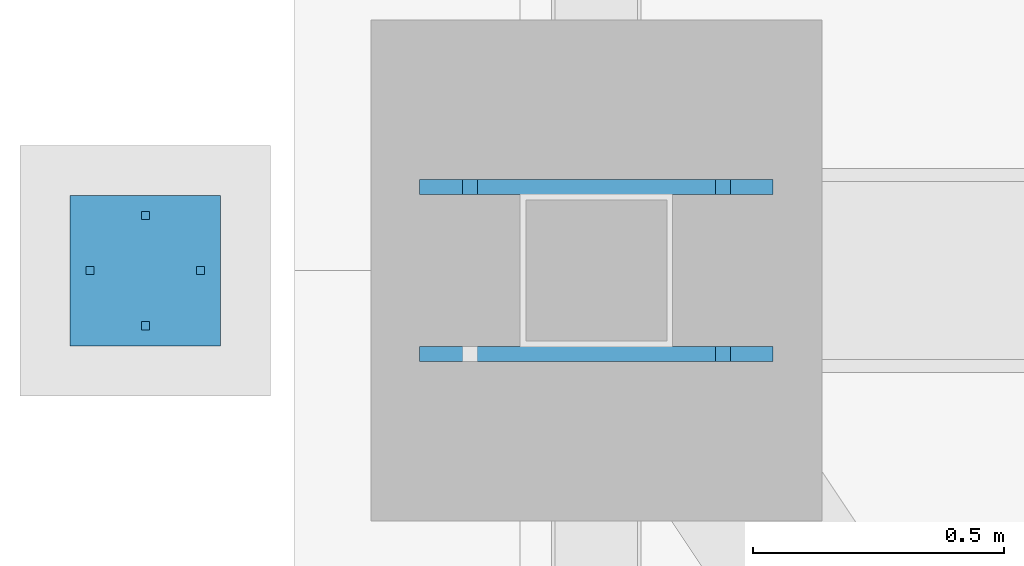
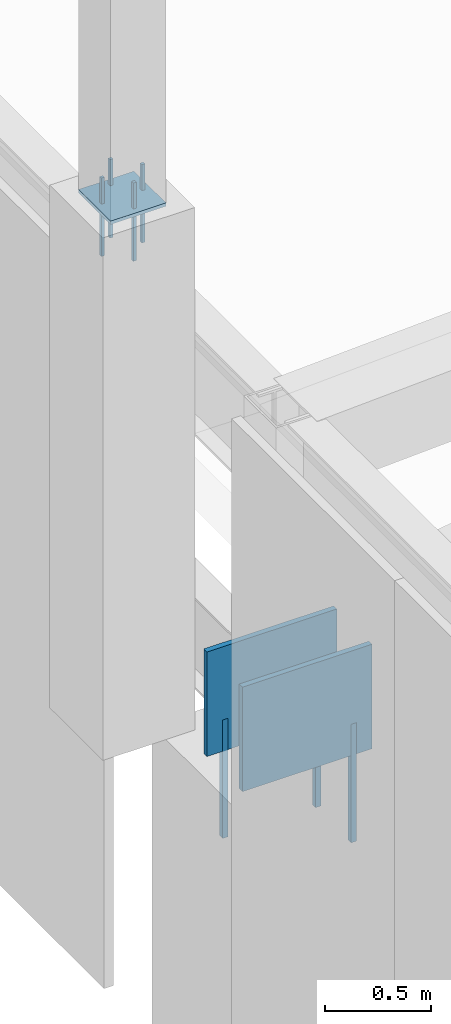
# One storey, part 164 of 278: 7 mechanical fasteners, 3 discrete accessories.
"""IFC4 building model written with IfcOpenShell, lengths in metres."""

import ifcopenshell
import ifcopenshell.guid

model = None  # the IFC model being written
_history = None  # IfcOwnerHistory: only IFC2X3 demands one
_inside = {}  # id of a spatial element -> (the spatial element, [elements in it])
_under = {}  # id of a project, library or spatial element -> (it, [spatial elements below it])
_declared = {}  # id of a project -> (the project, [libraries it declares])
_typed = {}  # id of a type object -> (the type object, [elements of that type])
_made_of = {}  # id of a material, layer set ... -> (it, [elements and type objects made of it])


def new_model(schema):
    """Start an empty IFC model of exactly this schema.

    Asked for "IFC4X3", IfcOpenShell would pick the latest addendum, in which some entities
    have other attributes; the version numbers below select the first issue.
    IFC2X3 requires an IfcOwnerHistory on every rooted entity: one is made here for all.
    """
    global model, _history
    if schema == "IFC4X3":
        model = ifcopenshell.file(schema_version=(4, 3, 0, 0))
    else:
        model = ifcopenshell.file(schema=schema)
    _inside.clear()
    _under.clear()
    _declared.clear()
    _typed.clear()
    _made_of.clear()
    _history = None
    if model.schema == "IFC2X3":
        org = make("IfcOrganization", Name="unknown")
        user = make(
            "IfcPersonAndOrganization",
            ThePerson=make("IfcPerson", FamilyName="unknown"),
            TheOrganization=org,
        )
        app = make(
            "IfcApplication",
            ApplicationDeveloper=org,
            Version="unknown",
            ApplicationFullName="unknown",
            ApplicationIdentifier="unknown",
        )
        _history = make(
            "IfcOwnerHistory",
            OwningUser=user,
            OwningApplication=app,
            ChangeAction="ADDED",
            CreationDate=0,
        )
    return model


def make(cls, **values):
    """One entity of the class cls with the attributes given. An attribute that is None is left unset."""
    return model.create_entity(
        cls, **{name: value for name, value in values.items() if value is not None}
    )


def rooted(cls, **values):
    """An entity with a GlobalId (a new one), such as an element, a storey or a relation."""
    return make(cls, GlobalId=ifcopenshell.guid.new(), OwnerHistory=_history, **values)


def si_unit(unit_type, name, prefix=None):
    """IfcSIUnit, for example si_unit("LENGTHUNIT", "METRE", prefix="MILLI")."""
    return make("IfcSIUnit", UnitType=unit_type, Prefix=prefix, Name=name)


def assignment(units):
    """IfcUnitAssignment: the units of a project."""
    return None if units is None else make("IfcUnitAssignment", Units=units)


def point(xyz):
    """IfcCartesianPoint."""
    return None if xyz is None else make("IfcCartesianPoint", Coordinates=xyz)


def direction(xyz):
    """IfcDirection."""
    return None if xyz is None else make("IfcDirection", DirectionRatios=xyz)


def frame(location, z_axis=None, x_axis=None):
    """IfcAxis2Placement3D, a coordinate frame: its origin and axes. An axis left out is left unset."""
    return make(
        "IfcAxis2Placement3D",
        Location=point(location),
        Axis=direction(z_axis),
        RefDirection=direction(x_axis),
    )


def frame_2d(location, x_axis=None):
    """IfcAxis2Placement2D, a coordinate frame in the plane: its origin and x axis."""
    return make(
        "IfcAxis2Placement2D", Location=point(location), RefDirection=direction(x_axis)
    )


def origin():
    """The frame at (0, 0, 0) with its axes left unset."""
    return frame((0.0, 0.0, 0.0))


def origin_2d():
    """The frame at (0, 0) in the plane with its x axis left unset."""
    return frame_2d((0.0, 0.0))


def place(relative_to, where):
    """IfcLocalPlacement: puts the frame where relative to a parent placement (None: the world)."""
    return make(
        "IfcLocalPlacement", PlacementRelTo=relative_to, RelativePlacement=where
    )


def context(
    kind, dimensions, precision=None, world=None, true_north=None, identifier=None
):
    """IfcGeometricRepresentationContext, for example the 3D "Model" context."""
    return make(
        "IfcGeometricRepresentationContext",
        ContextIdentifier=identifier,
        ContextType=kind,
        CoordinateSpaceDimension=dimensions,
        Precision=precision,
        WorldCoordinateSystem=world,
        TrueNorth=true_north,
    )


def subcontext(parent, identifier, kind, view, scale=None):
    """IfcGeometricRepresentationSubContext, for example "Body" below "Model"."""
    return make(
        "IfcGeometricRepresentationSubContext",
        ContextIdentifier=identifier,
        ContextType=kind,
        ParentContext=parent,
        TargetScale=scale,
        TargetView=view,
    )


def project(units=None, contexts=None):
    """IfcProject with its units and contexts."""
    return rooted(
        "IfcProject",
        Name="project",
        RepresentationContexts=contexts,
        UnitsInContext=assignment(units),
    )


def spatial(cls, under=None, at=None, **own):
    """A site, building, storey or space (cls), placed at a placement, below another one or the project."""
    s = rooted(cls, ObjectPlacement=at, **own)
    if under is not None:
        _under.setdefault(under.id(), (under, []))[1].append(s)
    return s


def profile(cls, at=None, kind="AREA", **sizes):
    """A parametric profile (cls). Its sizes go by their IFC names, for example OverallWidth=200.0."""
    return make(cls, ProfileType=kind, Position=at, **sizes)


def rectangle(**sizes):
    """IfcRectangleProfileDef."""
    return profile("IfcRectangleProfileDef", **sizes)


def extrude(swept, where, along, depth):
    """IfcExtrudedAreaSolid: the profile swept, set in the frame where, extruded along a direction by depth."""
    return make(
        "IfcExtrudedAreaSolid",
        SweptArea=swept,
        Position=where,
        ExtrudedDirection=direction(along),
        Depth=depth,
    )


def shape(context_of_items, identifier, shape_type, items):
    """IfcShapeRepresentation: the items that make up one representation, for example the "Body"."""
    return make(
        "IfcShapeRepresentation",
        ContextOfItems=context_of_items,
        RepresentationIdentifier=identifier,
        RepresentationType=shape_type,
        Items=items,
    )


def material(Name=None, Category=None):
    """IfcMaterial."""
    return make("IfcMaterial", Name=Name, Category=Category)


def layer(
    of_material, thickness, ventilated=None, Name=None, Category=None, Priority=None
):
    """IfcMaterialLayer: one layer of a wall or slab, of a material (None: an air gap)."""
    return make(
        "IfcMaterialLayer",
        Material=of_material,
        LayerThickness=thickness,
        IsVentilated=ventilated,
        Name=Name,
        Category=Category,
        Priority=Priority,
    )


def layer_set(layers, Name=None):
    """IfcMaterialLayerSet."""
    return make("IfcMaterialLayerSet", MaterialLayers=layers, LayerSetName=Name)


def made_of(thing, what):
    """Note that an element or type object is made of a material, layer set ...; save() writes the relation."""
    if what is not None:
        _made_of.setdefault(what.id(), (what, []))[1].append(thing)
    return thing


def type_object(cls, material=None, **own):
    """A type object (cls), such as IfcWallType, which elements share."""
    return made_of(rooted(cls, **own), material)


def element(
    cls,
    number,
    at=None,
    inside=None,
    cuts=None,
    type_object=None,
    material=None,
    context=None,
    identifier="Body",
    shape_type=None,
    held_by="IfcProductDefinitionShape",
    body=None,
    shapes=None,
    **own,
):
    """One element of the class cls, such as IfcWall. Its Tag is "e" and its number.

    at: its placement. inside: the storey or other place that contains it. cuts: it is an
    opening in that element (IfcRelVoidsElement). A single representation is given by context,
    identifier, shape_type and body (its items); several are given by shapes. held_by: the class
    of the entity that holds the representations. save() writes the other relations.
    """
    e = rooted(cls, Tag="e%d" % number, ObjectPlacement=at, **own)
    if body is not None:
        shapes = [shape(context, identifier, shape_type, body)]
    if shapes is not None:
        e.Representation = make(held_by, Representations=shapes)
    if inside is not None:
        _inside.setdefault(inside.id(), (inside, []))[1].append(e)
    if cuts is not None:
        rooted(
            "IfcRelVoidsElement", RelatingBuildingElement=cuts, RelatedOpeningElement=e
        )
    if type_object is not None:
        _typed.setdefault(type_object.id(), (type_object, []))[1].append(e)
    return made_of(e, material)


def aggregate(whole, parts):
    """IfcRelAggregates: a whole, such as a stair, and the parts it consists of."""
    return rooted("IfcRelAggregates", RelatingObject=whole, RelatedObjects=parts)


def save(model, path):
    """Write the relations noted so far, then the file.

    IfcRelAggregates (storeys below a building ...), IfcRelContainedInSpatialStructure (elements
    in a storey), IfcRelDefinesByType, IfcRelAssociatesMaterial and IfcRelDeclares: one each for
    every whole, place, type object, material and project.
    """
    for whole, parts in _under.values():
        aggregate(whole, parts)
    for where, things in _inside.values():
        rooted(
            "IfcRelContainedInSpatialStructure",
            RelatedElements=things,
            RelatingStructure=where,
        )
    for kind, things in _typed.values():
        rooted("IfcRelDefinesByType", RelatedObjects=things, RelatingType=kind)
    for what, things in _made_of.values():
        rooted("IfcRelAssociatesMaterial", RelatedObjects=things, RelatingMaterial=what)
    for by, libraries in _declared.values():
        rooted("IfcRelDeclares", RelatingContext=by, RelatedDefinitions=libraries)
    model.write(path)


model = new_model("IFC4")

# Units and contexts
model_context = context("Model", 3, precision=1e-05, world=origin(), true_north=direction((0.0, 1.0)))
body_context = subcontext(model_context, "Body", "Model", "MODEL_VIEW")
ifc_project = project(units=[si_unit("LENGTHUNIT", "METRE"), si_unit("AREAUNIT", "SQUARE_METRE"), si_unit("VOLUMEUNIT", "CUBIC_METRE"), si_unit("PLANEANGLEUNIT", "RADIAN"), si_unit("MASSUNIT", "GRAM", prefix="KILO")], contexts=[model_context])

# Site, building, storey
site_placement = place(None, origin())
site = spatial("IfcSite", under=ifc_project, at=site_placement, CompositionType="ELEMENT")
building_placement = place(site_placement, origin())
building = spatial("IfcBuilding", under=site, at=building_placement, Name="Ogive Plaza Stadium", CompositionType="ELEMENT")
storey_placement = place(building_placement, frame((0.0, 0.0, 29.0)))
storey = spatial("IfcBuildingStorey", under=building, at=storey_placement, Name="Roof", CompositionType="ELEMENT", Elevation=29.0)

# Mechanical fasteners
ifc_material_1 = material(Name="Steel ASTM A992 Grade 50", Category="steel")
mechanical_fastener_type_1 = type_object("IfcMechanicalFastenerType", Name="Anchor bolt M30 x 600", PredefinedType="ANCHORBOLT", material=ifc_material_1)
for number, where, z_axis, x_axis, name in (
    (1, (-83.74755859375, 7.33349609375, 3.0), (0.0, 0.0, 1.0), (-1.0, 0.0, 0.0), "ANCHOR BOLT 25 BF 1.2"),
    (2, (-84.25244140625, 7.66650390625, 3.0), (0.0, 0.0, 1.0), (-1.0, 0.0, 0.0), "ANCHOR BOLT 25 BF 2.1"),
    (3, (-83.74755859375, 7.66650390625, 3.0), (0.0, 0.0, 1.0), (-1.0, 0.0, 0.0), "ANCHOR BOLT 25 BF 2.2"),
):
    element("IfcMechanicalFastener", number, at=place(storey_placement, frame(where, z_axis=z_axis, x_axis=x_axis)), inside=storey, type_object=mechanical_fastener_type_1, Name=name, PredefinedType="ANCHORBOLT", context=body_context, shape_type="SweptSolid", body=[
        extrude(rectangle(XDim=0.030029296875, YDim=0.030029296875, at=origin_2d()), origin(), (0.0, 0.0, 1.0), 0.679931640625),
    ])
ifc_material_2 = material(Name="Steel ASTM A992 Grade 50", Category="steel")
mechanical_fastener_type_2 = type_object("IfcMechanicalFastenerType", Name="Spire anchor bolt M16 x 450", PredefinedType="ANCHORBOLT", material=ifc_material_2)
for number, where, z_axis, x_axis, name in (
    (4, (-85.010009765625, 7.5, 6.7001953125), (0.0, 0.0, 1.0), (-1.0, 0.0, 0.0), "SPIRE ANCHOR BOLT 25 1"),
    (5, (-84.7900390625, 7.5, 6.7001953125), (0.0, 0.0, 1.0), (-1.0, 0.0, 0.0), "SPIRE ANCHOR BOLT 25 2"),
    (6, (-84.89990234375, 7.389892578125, 6.7001953125), (0.0, 0.0, 1.0), (-1.0, 0.0, 0.0), "SPIRE ANCHOR BOLT 25 3"),
    (7, (-84.89990234375, 7.610107421875, 6.7001953125), (0.0, 0.0, 1.0), (-1.0, 0.0, 0.0), "SPIRE ANCHOR BOLT 25 4"),
):
    element("IfcMechanicalFastener", number, at=place(storey_placement, frame(where, z_axis=z_axis, x_axis=x_axis)), inside=storey, type_object=mechanical_fastener_type_2, Name=name, PredefinedType="ANCHORBOLT", context=body_context, shape_type="SweptSolid", body=[
        extrude(rectangle(XDim=0.01611328125, YDim=0.01611328125, at=origin_2d()), origin(), (0.0, 0.0, 1.0), 0.449951171875),
    ])

# Discrete accessories
ifc_material_3 = material(Name="Steel ASTM A992 Grade 50", Category="steel")
ifc_layer_1 = layer(ifc_material_3, 0.02001953125)
ifc_layer_set_1 = layer_set([ifc_layer_1], Name="Steel ASTM A992 Grade 50")
discrete_accessory_type_1 = type_object("IfcDiscreteAccessoryType", Name="Spire seat plate 20", PredefinedType="ANCHORPLATE", material=ifc_layer_set_1)
discrete_accessory_placement = place(storey_placement, frame((-84.89990234375, 7.5, 6.98095703125), z_axis=(0.0, 0.0, 1.0), x_axis=(-1.0, 0.0, 0.0)))
element("IfcDiscreteAccessory", 8, at=discrete_accessory_placement, inside=storey, type_object=discrete_accessory_type_1, Name="SPIRE SEAT PLATE 25", PredefinedType="ANCHORPLATE", context=body_context, shape_type="SweptSolid", body=[
    extrude(rectangle(XDim=0.300048828125, YDim=0.300048828125, at=origin_2d()), origin(), (0.0, 0.0, 1.0), 0.02001953125),
])
ifc_material_4 = material(Name="Steel ASTM A992 Grade 50", Category="steel")
ifc_layer_2 = layer(ifc_material_4, 0.030029296875)
ifc_layer_set_2 = layer_set([ifc_layer_2], Name="Steel ASTM A992 Grade 50")
discrete_accessory_type_2 = type_object("IfcDiscreteAccessoryType", Name="Truss back-stay foot cleat plate 30", PredefinedType="ANCHORPLATE", material=ifc_layer_set_2)
for number, where, z_axis, x_axis, name in (
    (9, (-84.0, 7.33349609375, 3.5), (0.0, 0.0, 1.0), (-1.0, 0.0, 0.0), "TRUSS BACK-STAY FOOT CLEAT PLATE 25 1"),
    (10, (-84.0, 7.66650390625, 3.5), (0.0, 0.0, 1.0), (-1.0, 0.0, 0.0), "TRUSS BACK-STAY FOOT CLEAT PLATE 25 2"),
):
    element("IfcDiscreteAccessory", number, at=place(storey_placement, frame(where, z_axis=z_axis, x_axis=x_axis)), inside=storey, type_object=discrete_accessory_type_2, Name=name, PredefinedType="ANCHORPLATE", context=body_context, shape_type="SweptSolid", body=[
        extrude(rectangle(XDim=0.704833984375, YDim=0.030029296875, at=origin_2d()), origin(), (0.0, 0.0, 1.0), 0.60009765625),
    ])

save(model, "model.ifc")
